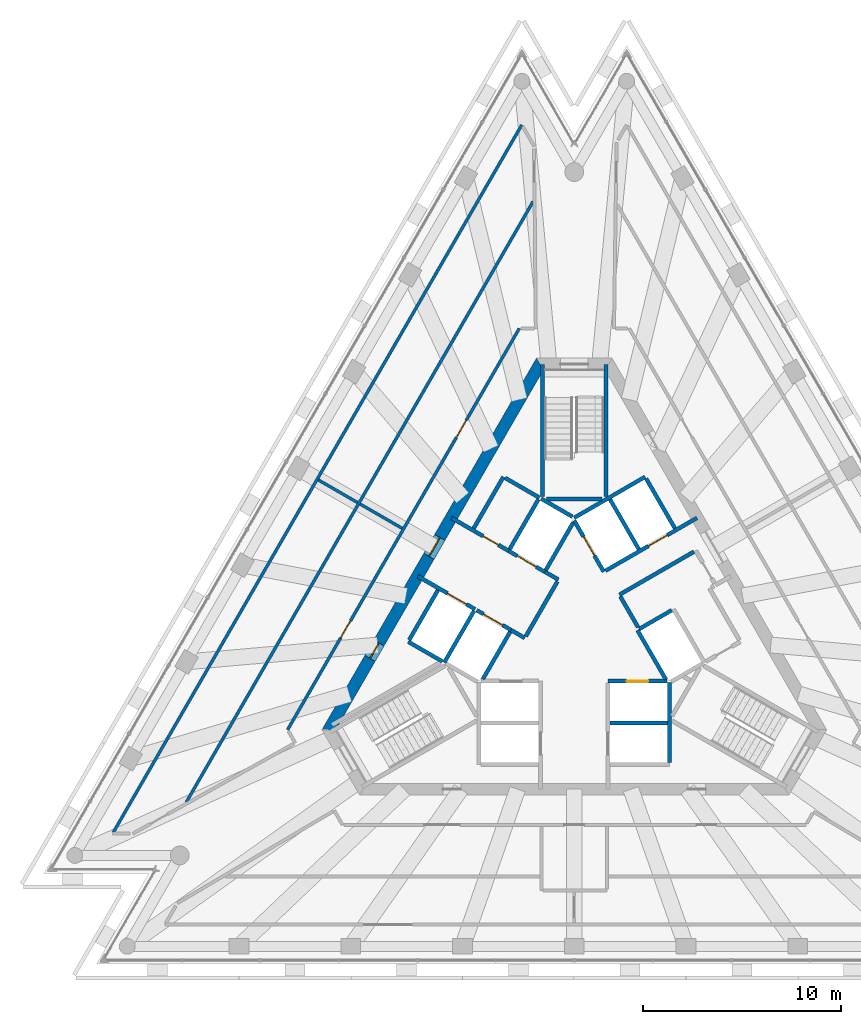
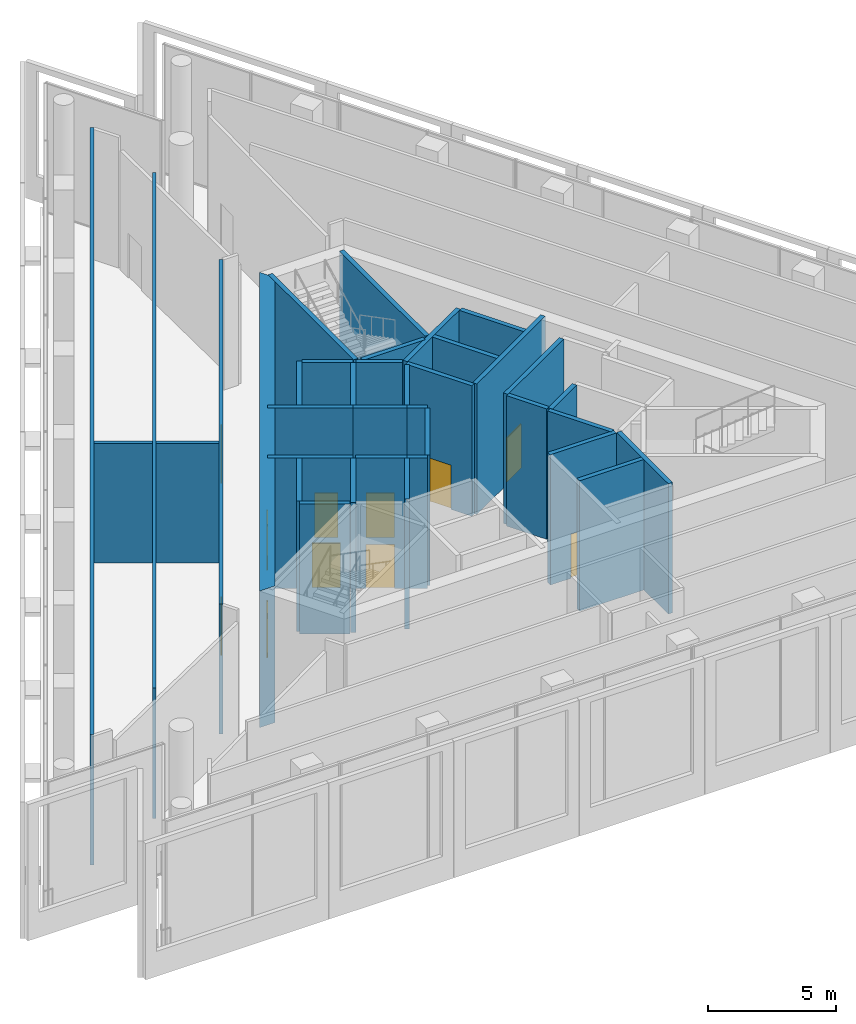
# One storey, part 11 of 16: 37 walls, 11 doors, 11 openings.
"""IFC4 building model written with IfcOpenShell, lengths in metres."""

from ifc_helpers import new_model, si_unit, direction, frame, frame_2d, origin, place, context, subcontext, project, spatial, polyline, rectangle, outline, extrude, material, layer, layer_set, type_object, element, fill, save


model = new_model("IFC4")

# Units and contexts
model_context = context("Model", 3, precision=1e-05, world=origin(), true_north=direction((0.0, 1.0)))
body_context = subcontext(model_context, "Body", "Model", "MODEL_VIEW")
ifc_project = project(units=[si_unit("LENGTHUNIT", "METRE"), si_unit("AREAUNIT", "SQUARE_METRE"), si_unit("VOLUMEUNIT", "CUBIC_METRE"), si_unit("PLANEANGLEUNIT", "RADIAN"), si_unit("MASSUNIT", "GRAM", prefix="KILO")], contexts=[model_context])

# Site, building, storey
site_placement = place(None, origin())
site = spatial("IfcSite", under=ifc_project, at=site_placement, CompositionType="ELEMENT")
building_placement = place(site_placement, origin())
building = spatial("IfcBuilding", under=site, at=building_placement, Name="Triada Interchange Tower", CompositionType="ELEMENT")
storey_placement = place(building_placement, frame((0.0, 0.0, 261.800048828125)))
storey = spatial("IfcBuildingStorey", under=building, at=storey_placement, Name="L61", CompositionType="ELEMENT", Elevation=261.800048828125)

# Walls
ifc_material_1 = material(Name="Concrete C30/37", Category="concrete")
ifc_layer_1 = layer(ifc_material_1, 0.199951171875)
ifc_layer_set_1 = layer_set([ifc_layer_1], Name="CORE WALL 200 EI 120")
wall_type_1 = type_object("IfcWallType", Name="CORE WALL 200 EI 120", PredefinedType="SOLIDWALL", material=ifc_layer_set_1)
wall_1_placement = place(storey_placement, frame((-8.3759765625, -0.70703125, 0.0), z_axis=(0.0, 0.0, 1.0), x_axis=(0.866072678707, -0.499918108492, 0.0)))
element("IfcWall", 1, at=wall_1_placement, inside=storey, type_object=wall_type_1, Name="Wall L61 37", PredefinedType="SOLIDWALL", context=body_context, shape_type="SweptSolid", body=[
    extrude(rectangle(XDim=1.980224609375, YDim=0.199951171875, at=frame_2d((0.990234375, 0.0))), origin(), (0.0, 0.0, 1.0), 6.199951171875),
])
wall_2_placement = place(storey_placement, frame((-8.325927734375, -0.6201171875, 0.0), z_axis=(0.0, 0.0, 1.0), x_axis=(0.500023687443, 0.866011727401, 0.0)))
element("IfcWall", 2, at=wall_2_placement, inside=storey, type_object=wall_type_1, Name="Wall L61 38", PredefinedType="SOLIDWALL", context=body_context, shape_type="SweptSolid", body=[
    extrude(rectangle(XDim=2.899658203125, YDim=0.199951171875, at=frame_2d((1.44970703125, 0.0))), origin(), (0.0, 0.0, 1.0), 6.199951171875),
])
wall_3_placement = place(storey_placement, frame((1.800048828125, -4.800048828125, 0.0), z_axis=(0.0, 0.0, 1.0), x_axis=(1.0, 0.0, 0.0)))
element("IfcWall", 3, at=wall_3_placement, inside=storey, type_object=wall_type_1, Name="Wall L61 43", PredefinedType="SOLIDWALL", context=body_context, shape_type="SweptSolid", body=[
    extrude(rectangle(XDim=2.89990234375, YDim=0.199951171875, at=frame_2d((1.449951171875, 0.0))), origin(), (0.0, 0.0, 1.0), 6.199951171875),
])

# Wall, opening, door
wall_4_placement = place(storey_placement, frame((1.702880859375, -2.699951171875, 0.0), z_axis=(0.0, 0.0, 1.0), x_axis=(1.0, 0.0, 0.0)))
wall_4 = element("IfcWall", 4, at=wall_4_placement, inside=storey, type_object=wall_type_1, Name="Wall L61 46", PredefinedType="SOLIDWALL", context=body_context, shape_type="SweptSolid", body=[
    extrude(rectangle(XDim=2.97314453125, YDim=0.199951171875, at=frame_2d((1.486572265625, 0.0))), origin(), (0.0, 0.0, 1.0), 6.199951171875),
])
opening_1_placement = place(wall_4_placement, frame((0.93603515625, 0.0, 0.0)))
opening_1 = element("IfcOpeningElement", 5, at=opening_1_placement, cuts=wall_4, Name="Opening LD-HR1", PredefinedType="OPENING", context=body_context, shape_type="SweptSolid", body=[
    extrude(rectangle(XDim=1.10009765625, YDim=2.10009765625, at=frame_2d((0.550048828125, 1.050048828125))), frame((0.0, 0.10986328125, 0.0), z_axis=(0.0, -1.0, 0.0), x_axis=(1.0, 0.0, 0.0)), (0.0, 0.0, 1.0), 0.219970703125),
])
ifc_material_2 = material(Name="Steel S235 door leaf", Category="steel")
door_type_1 = type_object("IfcDoorType", Name="LIFT LANDING DOOR 1100 EI 120", OperationType="SLIDING_TO_LEFT", PredefinedType="DOOR", material=ifc_material_2)
door_1_placement = place(opening_1_placement, origin())
door_1 = element("IfcDoor", 6, at=door_1_placement, inside=storey, type_object=door_type_1, Name="HR1 landing door L61", OperationType="SLIDING_TO_LEFT", OverallHeight=2.10009765625, OverallWidth=1.10009765625, PredefinedType="DOOR", context=body_context, shape_type="SweptSolid", body=[
    extrude(rectangle(XDim=1.10009765625, YDim=2.10009765625, at=frame_2d((0.550048828125, 1.050048828125))), frame((0.0, 0.02490234375, 0.0), z_axis=(0.0, -1.0, 0.0), x_axis=(1.0, 0.0, 0.0)), (0.0, 0.0, 1.0), 0.050048828125),
])
fill(opening_1, door_1)

# Wall
wall_5_placement = place(storey_placement, frame((-0.001953125, 5.541015625, 0.0), z_axis=(0.0, 0.0, 1.0), x_axis=(0.86600155993, 0.500041296494, 0.0)))
element("IfcWall", 7, at=wall_5_placement, inside=storey, type_object=wall_type_1, Name="Wall L61 47", PredefinedType="SOLIDWALL", context=body_context, shape_type="SweptSolid", body=[
    extrude(rectangle(XDim=4.131591796875, YDim=0.199951171875, at=frame_2d((2.06591796875, 0.0))), origin(), (0.0, 0.0, 1.0), 6.199951171875),
])

# Wall, opening, door
wall_6_placement = place(storey_placement, frame((0.0, 5.39990234375, 0.0), z_axis=(0.0, 0.0, 1.0), x_axis=(0.500103862429, -0.865965430478, 0.0)))
wall_6 = element("IfcWall", 8, at=wall_6_placement, inside=storey, type_object=wall_type_1, Name="Wall L61 48", PredefinedType="SOLIDWALL", context=body_context, shape_type="SweptSolid", body=[
    extrude(rectangle(XDim=2.973388671875, YDim=0.199951171875, at=frame_2d((1.48681640625, 0.0))), origin(), (0.0, 0.0, 1.0), 6.199951171875),
])
opening_2_placement = place(wall_6_placement, frame((0.93701171875, 0.0, 0.0)))
opening_2 = element("IfcOpeningElement", 9, at=opening_2_placement, cuts=wall_6, Name="Opening LD-HR5", PredefinedType="OPENING", context=body_context, shape_type="SweptSolid", body=[
    extrude(rectangle(XDim=1.10009765625, YDim=2.10009765625, at=frame_2d((0.550048828125, 1.050048828125))), frame((0.0, 0.10986328125, 0.0), z_axis=(0.0, -1.0, 0.0), x_axis=(1.0, 0.0, 0.0)), (0.0, 0.0, 1.0), 0.219970703125),
])
door_2_placement = place(opening_2_placement, origin())
door_2 = element("IfcDoor", 10, at=door_2_placement, inside=storey, type_object=door_type_1, Name="HR5 landing door L61", OperationType="SLIDING_TO_LEFT", OverallHeight=2.10009765625, OverallWidth=1.10009765625, PredefinedType="DOOR", context=body_context, shape_type="SweptSolid", body=[
    extrude(rectangle(XDim=1.10009765625, YDim=2.10009765625, at=frame_2d((0.550048828125, 1.050048828125))), frame((0.0, 0.02490234375, 0.0), z_axis=(0.0, -1.0, 0.0), x_axis=(1.0, 0.0, 0.0)), (0.0, 0.0, 1.0), 0.050048828125),
])
fill(opening_2, door_2)

# Wall
wall_7_placement = place(storey_placement, frame((3.18994140625, -0.125, 0.0), z_axis=(0.0, 0.0, 1.0), x_axis=(0.499988658015, -0.866031951983, 0.0)))
element("IfcWall", 11, at=wall_7_placement, inside=storey, type_object=wall_type_1, Name="Wall L61 49", PredefinedType="SOLIDWALL", context=body_context, shape_type="SweptSolid", body=[
    extrude(rectangle(XDim=2.85791015625, YDim=0.199951171875, at=frame_2d((1.428955078125, 0.0))), origin(), (0.0, 0.0, 1.0), 6.199951171875),
])

# Wall, opening, door
wall_8_placement = place(storey_placement, frame((1.577880859375, 2.8740234375, 0.0), z_axis=(0.0, 0.0, 1.0), x_axis=(0.866045911672, 0.499964477614, 0.0)))
wall_8 = element("IfcWall", 12, at=wall_8_placement, inside=storey, type_object=wall_type_1, Name="Wall L61 50", PredefinedType="SOLIDWALL", context=body_context, shape_type="SweptSolid", body=[
    extrude(rectangle(XDim=5.32666015625, YDim=0.199951171875, at=frame_2d((2.663330078125, 0.0))), origin(), (0.0, 0.0, 1.0), 6.199951171875),
])
opening_3_placement = place(wall_8_placement, frame((2.49609375, 0.0, 0.0)))
opening_3 = element("IfcOpeningElement", 13, at=opening_3_placement, cuts=wall_8, Name="Opening LD-HR6", PredefinedType="OPENING", context=body_context, shape_type="SweptSolid", body=[
    extrude(rectangle(XDim=1.10009765625, YDim=2.10009765625, at=frame_2d((0.550048828125, 1.050048828125))), frame((0.0, 0.10986328125, 0.0), z_axis=(0.0, -1.0, 0.0), x_axis=(1.0, 0.0, 0.0)), (0.0, 0.0, 1.0), 0.219970703125),
])
door_3_placement = place(opening_3_placement, origin())
door_3 = element("IfcDoor", 14, at=door_3_placement, inside=storey, type_object=door_type_1, Name="HR6 landing door L61", OperationType="SLIDING_TO_LEFT", OverallHeight=2.10009765625, OverallWidth=1.10009765625, PredefinedType="DOOR", context=body_context, shape_type="SweptSolid", body=[
    extrude(rectangle(XDim=1.10009765625, YDim=2.10009765625, at=frame_2d((0.550048828125, 1.050048828125))), frame((0.0, 0.02490234375, 0.0), z_axis=(0.0, -1.0, 0.0), x_axis=(1.0, 0.0, 0.0)), (0.0, 0.0, 1.0), 0.050048828125),
])
fill(opening_3, door_3)

# Walls
wall_9_placement = place(storey_placement, frame((4.800048828125, -6.800048828125, 0.0), z_axis=(0.0, 0.0, 1.0), x_axis=(0.0, 1.0, 0.0)))
element("IfcWall", 15, at=wall_9_placement, inside=storey, type_object=wall_type_1, Name="Wall L61 52", PredefinedType="SOLIDWALL", context=body_context, shape_type="SweptSolid", body=[
    extrude(rectangle(XDim=4.029052734375, YDim=0.199951171875, at=frame_2d((2.0146484375, 0.0))), origin(), (0.0, 0.0, 1.0), 6.199951171875),
])
for number, where, z_axis, x_axis, name in (
    (16, (3.6259765625, 7.52001953125, 0.0), (0.0, 0.0, 1.0), (0.500060147554, -0.865990674793, 0.0), "Wall L61 53"),
    (17, (1.806884765625, 6.469970703125, 0.0), (0.0, 0.0, 1.0), (0.50012328804, -0.865954211699, 0.0), "Wall L61 54"),
):
    element("IfcWall", number, at=place(storey_placement, frame(where, z_axis=z_axis, x_axis=x_axis)), inside=storey, type_object=wall_type_1, Name=name, PredefinedType="SOLIDWALL", context=body_context, shape_type="SweptSolid", body=[
        extrude(rectangle(XDim=2.899658203125, YDim=0.199951171875, at=frame_2d((1.44970703125, 0.0))), origin(), (0.0, 0.0, 1.0), 6.199951171875),
    ])
wall_10_placement = place(storey_placement, frame((3.278076171875, -0.071044921875, 0.0), z_axis=(0.0, 0.0, 1.0), x_axis=(0.865784509405, 0.500417009377, 0.0)))
element("IfcWall", 18, at=wall_10_placement, inside=storey, type_object=wall_type_1, Name="Wall L61 56", PredefinedType="SOLIDWALL", context=body_context, shape_type="SweptSolid", body=[
    extrude(rectangle(XDim=1.896484375, YDim=0.199951171875, at=frame_2d((0.9482421875, 0.0))), origin(), (0.0, 0.0, 1.0), 6.199951171875),
])
wall_11_placement = place(storey_placement, frame((2.27490234375, 1.659912109375, 0.0), z_axis=(0.0, 0.0, 1.0), x_axis=(0.866013608182, 0.500020430026, 0.0)))
element("IfcWall", 19, at=wall_11_placement, inside=storey, type_object=wall_type_1, Name="Wall L61 59", PredefinedType="SOLIDWALL", context=body_context, shape_type="SweptSolid", body=[
    extrude(rectangle(XDim=4.349853515625, YDim=0.199951171875, at=frame_2d((2.1748046875, 0.0))), origin(), (0.0, 0.0, 1.0), 6.199951171875),
])
wall_12_placement = place(storey_placement, frame((2.324951171875, 1.572998046875, 0.0), z_axis=(0.0, 0.0, 1.0), x_axis=(0.500004188491, -0.866022985545, 0.0)))
element("IfcWall", 20, at=wall_12_placement, inside=storey, type_object=wall_type_1, Name="Wall L61 60", PredefinedType="SOLIDWALL", context=body_context, shape_type="SweptSolid", body=[
    extrude(rectangle(XDim=1.80029296875, YDim=0.199951171875, at=frame_2d((0.900146484375, 0.0))), origin(), (0.0, 0.0, 1.0), 6.199951171875),
])

# Wall, opening, door
ifc_layer_2 = layer(ifc_material_1, 0.199951171875)
ifc_layer_set_2 = layer_set([ifc_layer_2], Name="CORE WALL 200 EI 180")
wall_type_2 = type_object("IfcWallType", Name="CORE WALL 200 EI 180", PredefinedType="SOLIDWALL", material=ifc_layer_set_2)
wall_13_placement = place(storey_placement, frame((-7.89111328125, 2.593017578125, 0.0), z_axis=(0.0, 0.0, 1.0), x_axis=(0.866070917804, -0.499921159118, 0.0)))
wall_13 = element("IfcWall", 21, at=wall_13_placement, inside=storey, type_object=wall_type_2, Name="Wall L61 62", PredefinedType="SOLIDWALL", context=body_context, shape_type="SweptSolid", body=[
    extrude(rectangle(XDim=3.33251953125, YDim=0.199951171875, at=frame_2d((1.666259765625, 0.0))), origin(), (0.0, 0.0, 1.0), 6.199951171875),
])
opening_4_placement = place(wall_13_placement, frame((1.72998046875, 0.0, 0.0)))
opening_4 = element("IfcOpeningElement", 22, at=opening_4_placement, cuts=wall_13, Name="Opening LD-SV1", PredefinedType="OPENING", context=body_context, shape_type="SweptSolid", body=[
    extrude(rectangle(XDim=1.10009765625, YDim=2.10009765625, at=frame_2d((0.550048828125, 1.050048828125))), frame((0.0, 0.10986328125, 0.0), z_axis=(0.0, -1.0, 0.0), x_axis=(1.0, 0.0, 0.0)), (0.0, 0.0, 1.0), 0.219970703125),
])
door_4_placement = place(opening_4_placement, origin())
door_4 = element("IfcDoor", 23, at=door_4_placement, inside=storey, type_object=door_type_1, Name="SV1 landing door L61", OperationType="SLIDING_TO_LEFT", OverallHeight=2.10009765625, OverallWidth=1.10009765625, PredefinedType="DOOR", context=body_context, shape_type="SweptSolid", body=[
    extrude(rectangle(XDim=1.10009765625, YDim=2.10009765625, at=frame_2d((0.550048828125, 1.050048828125))), frame((0.0, 0.02490234375, 0.0), z_axis=(0.0, -1.0, 0.0), x_axis=(1.0, 0.0, 0.0)), (0.0, 0.0, 1.0), 0.050048828125),
])
fill(opening_4, door_4)

# Wall
wall_14_placement = place(storey_placement, frame((-3.18798828125, -0.1220703125, 0.0), z_axis=(0.0, 0.0, 1.0), x_axis=(0.865705793592, -0.50055317294, 0.0)))
element("IfcWall", 24, at=wall_14_placement, inside=storey, type_object=wall_type_2, Name="Wall L61 63", PredefinedType="SOLIDWALL", context=body_context, shape_type="SweptSolid", body=[
    extrude(rectangle(XDim=0.796875, YDim=0.199951171875, at=frame_2d((0.3984375, 0.0))), origin(), (0.0, 0.0, 1.0), 6.199951171875),
])

# Wall, opening, door
wall_15_placement = place(storey_placement, frame((-6.19091796875, 5.537109375, 0.0), z_axis=(0.0, 0.0, 1.0), x_axis=(0.866052607023, -0.499952879648, 0.0)))
wall_15 = element("IfcWall", 25, at=wall_15_placement, inside=storey, type_object=wall_type_2, Name="Wall L61 64", PredefinedType="SOLIDWALL", context=body_context, shape_type="SweptSolid", body=[
    extrude(rectangle(XDim=3.332275390625, YDim=0.199951171875, at=frame_2d((1.666015625, 0.0))), origin(), (0.0, 0.0, 1.0), 6.199951171875),
])
opening_5_placement = place(wall_15_placement, frame((1.830078125, 0.0, 0.0)))
opening_5 = element("IfcOpeningElement", 26, at=opening_5_placement, cuts=wall_15, Name="Opening D61-10", PredefinedType="OPENING", context=body_context, shape_type="SweptSolid", body=[
    extrude(rectangle(XDim=0.89990234375, YDim=2.10009765625, at=frame_2d((0.449951171875, 1.050048828125))), frame((0.0, 0.10986328125, 0.0), z_axis=(0.0, -1.0, 0.0), x_axis=(1.0, 0.0, 0.0)), (0.0, 0.0, 1.0), 0.219970703125),
])
door_type_2 = type_object("IfcDoorType", Name="SERVICE DOOR 900 EI2 90-C5S200", OperationType="NOTDEFINED", PredefinedType="DOOR", material=ifc_material_2)
door_5_placement = place(opening_5_placement, origin())
door_5 = element("IfcDoor", 27, at=door_5_placement, inside=storey, type_object=door_type_2, Name="Door D61-10 L61", OperationType="SINGLE_SWING_LEFT", OverallHeight=2.10009765625, OverallWidth=0.89990234375, PredefinedType="DOOR", context=body_context, shape_type="SweptSolid", body=[
    extrude(rectangle(XDim=0.89990234375, YDim=2.10009765625, at=frame_2d((0.449951171875, 1.050048828125))), frame((0.0, 0.02490234375, 0.0), z_axis=(0.0, -1.0, 0.0), x_axis=(1.0, 0.0, 0.0)), (0.0, 0.0, 1.0), 0.050048828125),
])
fill(opening_5, door_5)

# Walls
wall_16_placement = place(storey_placement, frame((-1.488037109375, 2.822021484375, 0.0), z_axis=(0.0, 0.0, 1.0), x_axis=(0.866236612152, -0.499633997809, 0.0)))
element("IfcWall", 28, at=wall_16_placement, inside=storey, type_object=wall_type_2, Name="Wall L61 65", PredefinedType="SOLIDWALL", context=body_context, shape_type="SweptSolid", body=[
    extrude(rectangle(XDim=0.79638671875, YDim=0.199951171875, at=frame_2d((0.398193359375, 0.0))), origin(), (0.0, 0.0, 1.0), 6.199951171875),
])
wall_17_placement = place(storey_placement, frame((-5.075927734375, 5.009033203125, 0.0), z_axis=(0.0, 0.0, 1.0), x_axis=(0.50002537861, 0.866010750942, 0.0)))
element("IfcWall", 29, at=wall_17_placement, inside=storey, type_object=wall_type_2, Name="Wall L61 66", PredefinedType="SOLIDWALL", context=body_context, shape_type="SweptSolid", body=[
    extrude(rectangle(XDim=2.999755859375, YDim=0.199951171875, at=frame_2d((1.5, 0.0))), origin(), (0.0, 0.0, 1.0), 6.199951171875),
])
wall_18_placement = place(storey_placement, frame((-3.489013671875, 7.556884765625, 0.0), z_axis=(0.0, 0.0, 1.0), x_axis=(0.866010750942, -0.50002537861, 0.0)))
element("IfcWall", 30, at=wall_18_placement, inside=storey, type_object=wall_type_2, Name="Wall L61 67", PredefinedType="SOLIDWALL", context=body_context, shape_type="SweptSolid", body=[
    extrude(rectangle(XDim=2.0, YDim=0.199951171875, at=frame_2d((1.0, 0.0))), origin(), (0.0, 0.0, 1.0), 6.199951171875),
])
wall_19_placement = place(storey_placement, frame((-2.444091796875, -0.43310546875, 0.0), z_axis=(0.0, 0.0, 1.0), x_axis=(0.500035624827, 0.866004834804, 0.0)))
element("IfcWall", 31, at=wall_19_placement, inside=storey, type_object=wall_type_2, Name="Wall L61 68", PredefinedType="SOLIDWALL", context=body_context, shape_type="SweptSolid", body=[
    extrude(rectangle(XDim=3.194091796875, YDim=0.199951171875, at=frame_2d((1.59716796875, 0.0))), origin(), (0.0, 0.0, 1.0), 6.199951171875),
])
wall_20_placement = place(storey_placement, frame((-6.556884765625, -1.757080078125, 0.0), z_axis=(0.0, 0.0, 1.0), x_axis=(0.499990139034, 0.866031096941, 0.0)))
element("IfcWall", 32, at=wall_20_placement, inside=storey, type_object=wall_type_2, Name="Shaft wall FF1 L61 69", PredefinedType="SOLIDWALL", context=body_context, shape_type="SweptSolid", body=[
    extrude(rectangle(XDim=3.0, YDim=0.199951171875, at=frame_2d((1.5, 0.0))), origin(), (0.0, 0.0, 1.0), 6.199951171875),
])

# Wall, opening, door
wall_21_placement = place(storey_placement, frame((-4.922119140625, 0.87890625, 0.0), z_axis=(0.0, 0.0, 1.0), x_axis=(0.866073918653, -0.499915960366, 0.0)))
wall_21 = element("IfcWall", 33, at=wall_21_placement, inside=storey, type_object=wall_type_2, Name="Shaft wall FF1 L61 71", PredefinedType="SOLIDWALL", context=body_context, shape_type="SweptSolid", body=[
    extrude(rectangle(XDim=2.002197265625, YDim=0.199951171875, at=frame_2d((1.0009765625, 0.0))), origin(), (0.0, 0.0, 1.0), 6.199951171875),
])
opening_6_placement = place(wall_21_placement, frame((0.402099609375, 0.0, 0.0)))
opening_6 = element("IfcOpeningElement", 34, at=opening_6_placement, cuts=wall_21, Name="Opening LD-FF1", PredefinedType="OPENING", context=body_context, shape_type="SweptSolid", body=[
    extrude(rectangle(XDim=1.10009765625, YDim=2.10009765625, at=frame_2d((0.550048828125, 1.050048828125))), frame((0.0, 0.10986328125, 0.0), z_axis=(0.0, -1.0, 0.0), x_axis=(1.0, 0.0, 0.0)), (0.0, 0.0, 1.0), 0.219970703125),
])
door_6_placement = place(opening_6_placement, origin())
door_6 = element("IfcDoor", 35, at=door_6_placement, inside=storey, type_object=door_type_1, Name="FF1 landing door L61", OperationType="SLIDING_TO_LEFT", OverallHeight=2.10009765625, OverallWidth=1.10009765625, PredefinedType="DOOR", context=body_context, shape_type="SweptSolid", body=[
    extrude(rectangle(XDim=1.10009765625, YDim=2.10009765625, at=frame_2d((0.550048828125, 1.050048828125))), frame((0.0, 0.02490234375, 0.0), z_axis=(0.0, -1.0, 0.0), x_axis=(1.0, 0.0, 0.0)), (0.0, 0.0, 1.0), 0.050048828125),
])
fill(opening_6, door_6)

# Wall
wall_22_placement = place(storey_placement, frame((-4.618896484375, -2.60009765625, 0.0), z_axis=(0.0, 0.0, 1.0), x_axis=(0.50009492287, 0.865970593103, 0.0)))
element("IfcWall", 36, at=wall_22_placement, inside=storey, type_object=wall_type_2, Name="Shaft wall FF1 L61 72", PredefinedType="SOLIDWALL", context=body_context, shape_type="SweptSolid", body=[
    extrude(rectangle(XDim=2.76123046875, YDim=0.199951171875, at=frame_2d((1.380615234375, 0.0))), origin(), (0.0, 0.0, 1.0), 6.199951171875),
])

# Wall, opening, door
wall_23_placement = place(storey_placement, frame((-3.30908203125, 3.873046875, 0.0), z_axis=(0.0, 0.0, 1.0), x_axis=(0.866098583652, -0.499873227325, 0.0)))
wall_23 = element("IfcWall", 37, at=wall_23_placement, inside=storey, type_object=wall_type_2, Name="Shaft wall FF2 L61 73", PredefinedType="SOLIDWALL", context=body_context, shape_type="SweptSolid", body=[
    extrude(rectangle(XDim=2.1025390625, YDim=0.199951171875, at=frame_2d((1.05126953125, 0.0))), origin(), (0.0, 0.0, 1.0), 6.199951171875),
])
opening_7_placement = place(wall_23_placement, frame((0.501953125, 0.0, 0.0)))
opening_7 = element("IfcOpeningElement", 38, at=opening_7_placement, cuts=wall_23, Name="Opening LD-FF2", PredefinedType="OPENING", context=body_context, shape_type="SweptSolid", body=[
    extrude(rectangle(XDim=1.10009765625, YDim=2.10009765625, at=frame_2d((0.550048828125, 1.050048828125))), frame((0.0, 0.10986328125, 0.0), z_axis=(0.0, -1.0, 0.0), x_axis=(1.0, 0.0, 0.0)), (0.0, 0.0, 1.0), 0.219970703125),
])
door_7_placement = place(opening_7_placement, origin())
door_7 = element("IfcDoor", 39, at=door_7_placement, inside=storey, type_object=door_type_1, Name="FF2 landing door L61", OperationType="SLIDING_TO_LEFT", OverallHeight=2.10009765625, OverallWidth=1.10009765625, PredefinedType="DOOR", context=body_context, shape_type="SweptSolid", body=[
    extrude(rectangle(XDim=1.10009765625, YDim=2.10009765625, at=frame_2d((0.550048828125, 1.050048828125))), frame((0.0, 0.02490234375, 0.0), z_axis=(0.0, -1.0, 0.0), x_axis=(1.0, 0.0, 0.0)), (0.0, 0.0, 1.0), 0.050048828125),
])
fill(opening_7, door_7)

# Walls
wall_24_placement = place(storey_placement, frame((-3.257080078125, 3.958984375, 0.0), z_axis=(0.0, 0.0, 1.0), x_axis=(0.50012328804, 0.865954211699, 0.0)))
element("IfcWall", 40, at=wall_24_placement, inside=storey, type_object=wall_type_2, Name="Shaft wall FF2 L61 74", PredefinedType="SOLIDWALL", context=body_context, shape_type="SweptSolid", body=[
    extrude(rectangle(XDim=2.899658203125, YDim=0.199951171875, at=frame_2d((1.44970703125, 0.0))), origin(), (0.0, 0.0, 1.0), 6.199951171875),
])
wall_25_placement = place(storey_placement, frame((-1.669921875, 6.507080078125, 0.0), z_axis=(0.0, 0.0, 1.0), x_axis=(0.865941441609, -0.500145398563, 0.0)))
element("IfcWall", 41, at=wall_25_placement, inside=storey, type_object=wall_type_2, Name="Shaft wall FF2 L61 75", PredefinedType="SOLIDWALL", context=body_context, shape_type="SweptSolid", body=[
    extrude(rectangle(XDim=1.8154296875, YDim=0.199951171875, at=frame_2d((0.90771484375, 0.0))), origin(), (0.0, 0.0, 1.0), 6.199951171875),
])
wall_26_placement = place(storey_placement, frame((-1.43798828125, 2.908935546875, 0.0), z_axis=(0.0, 0.0, 1.0), x_axis=(0.499829630636, 0.866123744241, 0.0)))
element("IfcWall", 42, at=wall_26_placement, inside=storey, type_object=wall_type_2, Name="Shaft wall FF2 L61 76", PredefinedType="SOLIDWALL", context=body_context, shape_type="SweptSolid", body=[
    extrude(rectangle(XDim=2.7607421875, YDim=0.199951171875, at=frame_2d((1.38037109375, 0.0))), origin(), (0.0, 0.0, 1.0), 6.199951171875),
])
ifc_layer_3 = layer(ifc_material_1, 0.199951171875)
ifc_layer_set_3 = layer_set([ifc_layer_3], Name="CORE WALL 200 REI 240")
wall_type_3 = type_object("IfcWallType", Name="CORE WALL 200 REI 240", PredefinedType="SOLIDWALL", material=ifc_layer_set_3)
wall_27_placement = place(storey_placement, frame((1.60009765625, 6.614990234375, 0.0), z_axis=(0.0, 0.0, 1.0), x_axis=(0.0, 1.0, 0.0)))
element("IfcWall", 43, at=wall_27_placement, inside=storey, type_object=wall_type_3, Name="Wall L61 85", PredefinedType="SOLIDWALL", context=body_context, shape_type="SweptSolid", body=[
    extrude(rectangle(XDim=6.6650390625, YDim=0.199951171875, at=frame_2d((3.33251953125, 0.0))), origin(), (0.0, 0.0, 1.0), 6.199951171875),
])
wall_28_placement = place(storey_placement, frame((-1.39990234375, 6.5, 0.0), z_axis=(0.0, 0.0, 1.0), x_axis=(1.0, 0.0, 0.0)))
element("IfcWall", 44, at=wall_28_placement, inside=storey, type_object=wall_type_3, Name="Wall L61 86", PredefinedType="SOLIDWALL", context=body_context, shape_type="SweptSolid", body=[
    extrude(rectangle(XDim=2.7998046875, YDim=0.199951171875, at=frame_2d((1.39990234375, 0.0))), origin(), (0.0, 0.0, 1.0), 6.199951171875),
])
wall_29_placement = place(storey_placement, frame((-1.60009765625, 6.614990234375, 0.0), z_axis=(0.0, 0.0, 1.0), x_axis=(0.0, 1.0, 0.0)))
element("IfcWall", 45, at=wall_29_placement, inside=storey, type_object=wall_type_3, Name="Wall L61 87", PredefinedType="SOLIDWALL", context=body_context, shape_type="SweptSolid", body=[
    extrude(rectangle(XDim=6.6650390625, YDim=0.199951171875, at=frame_2d((3.33251953125, 0.0))), origin(), (0.0, 0.0, 1.0), 6.199951171875),
])

# Wall, openings, doors
ifc_material_3 = material(Name="Concrete C40/50", Category="concrete")
ifc_layer_4 = layer(ifc_material_3, 0.60009765625)
ifc_layer_set_4 = layer_set([ifc_layer_4], Name="Core wall D 600")
wall_type_4 = type_object("IfcWallType", Name="Core wall D 600", PredefinedType="SHEAR", material=ifc_layer_set_4)
wall_30_placement = place(storey_placement, frame((-1.73193359375, 13.300048828125, -0.300048828125), z_axis=(0.0, 0.0, 1.0), x_axis=(-0.500000539815, -0.866025092122, 0.0)))
wall_30 = element("IfcWall", 46, at=wall_30_placement, inside=storey, type_object=wall_type_4, Name="Core wall WD02 L61", PredefinedType="SHEAR", context=body_context, shape_type="SweptSolid", body=[
    extrude(outline(polyline([(-0.173095703125, -0.300048828125), (1.795166015625, -0.300048828125), (3.763427734375, -0.30029296875), (5.731689453125, -0.30029296875), (7.699951171875, -0.30029296875), (9.668212890625, -0.300537109375), (11.63671875, -0.300537109375), (13.60498046875, -0.30078125), (15.5732421875, -0.30078125), (17.54150390625, -0.30078125), (19.509765625, -0.301025390625), (21.47802734375, -0.301025390625), (21.131103515625, 0.300048828125), (19.225830078125, 0.300048828125), (17.320556640625, 0.300048828125), (15.415283203125, 0.300048828125), (13.510009765625, 0.300048828125), (11.604736328125, 0.300048828125), (9.699462890625, 0.300048828125), (7.794189453125, 0.300048828125), (5.888916015625, 0.300048828125), (3.983642578125, 0.300048828125), (2.078369140625, 0.300048828125), (0.173095703125, 0.300048828125), (-0.173095703125, -0.300048828125)])), origin(), (0.0, 0.0, 1.0), 6.5),
])
opening_8_placement = place(wall_30_placement, frame((10.10205078125, 0.0, 0.300048828125)))
opening_8 = element("IfcOpeningElement", 47, at=opening_8_placement, cuts=wall_30, Name="Opening D61-28", PredefinedType="OPENING", context=body_context, shape_type="SweptSolid", body=[
    extrude(rectangle(XDim=1.10009765625, YDim=2.10009765625, at=frame_2d((0.550048828125, 1.050048828125))), frame((0.0, 0.31005859375, 0.0), z_axis=(0.0, -1.0, 0.0), x_axis=(1.0, 0.0, 0.0)), (0.0, 0.0, 1.0), 0.62109375),
])
opening_9_placement = place(wall_30_placement, frame((16.248046875, 0.0, 0.300048828125)))
opening_9 = element("IfcOpeningElement", 48, at=opening_9_placement, cuts=wall_30, Name="Opening D61-29", PredefinedType="OPENING", context=body_context, shape_type="SweptSolid", body=[
    extrude(rectangle(XDim=0.89990234375, YDim=2.10009765625, at=frame_2d((0.449951171875, 1.050048828125))), frame((0.0, 0.31005859375, 0.0), z_axis=(0.0, -1.0, 0.0), x_axis=(1.0, 0.0, 0.0)), (0.0, 0.0, 1.0), 0.62109375),
])
door_type_3 = type_object("IfcDoorType", Name="FIRE LOBBY DOOR 1100 EI2 90-C5S200", OperationType="NOTDEFINED", PredefinedType="DOOR", material=ifc_material_2)
door_8_placement = place(opening_8_placement, origin())
door_8 = element("IfcDoor", 49, at=door_8_placement, inside=storey, type_object=door_type_3, Name="Door D61-28 L61", OperationType="SINGLE_SWING_RIGHT", OverallHeight=2.10009765625, OverallWidth=1.10009765625, PredefinedType="DOOR", context=body_context, shape_type="SweptSolid", body=[
    extrude(rectangle(XDim=1.10009765625, YDim=2.10009765625, at=frame_2d((0.550048828125, 1.050048828125))), frame((0.0, 0.02490234375, 0.0), z_axis=(0.0, -1.0, 0.0), x_axis=(1.0, 0.0, 0.0)), (0.0, 0.0, 1.0), 0.050048828125),
])
fill(opening_8, door_8)
door_type_4 = type_object("IfcDoorType", Name="SERVICE DOOR 900 EI2 45-C5S200", OperationType="NOTDEFINED", PredefinedType="DOOR", material=ifc_material_2)
door_9_placement = place(opening_9_placement, origin())
door_9 = element("IfcDoor", 50, at=door_9_placement, inside=storey, type_object=door_type_4, Name="Door D61-29 L61", OperationType="SINGLE_SWING_RIGHT", OverallHeight=2.10009765625, OverallWidth=0.89990234375, PredefinedType="DOOR", context=body_context, shape_type="SweptSolid", body=[
    extrude(rectangle(XDim=0.89990234375, YDim=2.10009765625, at=frame_2d((0.449951171875, 1.050048828125))), frame((0.0, 0.02490234375, 0.0), z_axis=(0.0, -1.0, 0.0), x_axis=(1.0, 0.0, 0.0)), (0.0, 0.0, 1.0), 0.050048828125),
])
fill(opening_9, door_9)

# Walls
ifc_material_4 = material(Name="Gypsum board partition")
ifc_layer_5 = layer(ifc_material_4, 0.14990234375)
ifc_layer_set_5 = layer_set([ifc_layer_5], Name="PARTITION 150")
wall_type_5 = type_object("IfcWallType", Name="PARTITION 150", PredefinedType="PARTITIONING", material=ifc_layer_set_5)
wall_31_placement = place(storey_placement, frame((-12.905029296875, 7.449951171875, 0.0), z_axis=(0.0, 0.0, 1.0), x_axis=(0.866023021914, -0.500004125498, 0.0)))
element("IfcWall", 51, at=wall_31_placement, inside=storey, type_object=wall_type_5, Name="Wall L61 28", PredefinedType="PARTITIONING", context=body_context, shape_type="SweptSolid", body=[
    extrude(rectangle(XDim=2.27587890625, YDim=0.14990234375, at=frame_2d((1.137939453125, 0.0))), origin(), (0.0, 0.0, 1.0), 5.699951171875),
])
wall_32_placement = place(storey_placement, frame((-10.803955078125, 6.237060546875, 0.0), z_axis=(0.0, 0.0, 1.0), x_axis=(0.8660395779, -0.499975448907, 0.0)))
element("IfcWall", 52, at=wall_32_placement, inside=storey, type_object=wall_type_5, Name="Wall L61 29", PredefinedType="PARTITIONING", context=body_context, shape_type="SweptSolid", body=[
    extrude(rectangle(XDim=2.4501953125, YDim=0.14990234375, at=frame_2d((1.22509765625, 0.0))), origin(), (0.0, 0.0, 1.0), 5.699951171875),
])

# Wall, openings, doors
ifc_layer_6 = layer(ifc_material_4, 0.14990234375)
ifc_layer_set_6 = layer_set([ifc_layer_6], Name="PARTITION 150 EI 90")
wall_type_6 = type_object("IfcWallType", Name="PARTITION 150 EI 90", PredefinedType="PARTITIONING", material=ifc_layer_set_6)
wall_33_placement = place(storey_placement, frame((-14.462890625, -5.14990234375, 0.0), z_axis=(0.0, 0.0, 1.0), x_axis=(0.500017691629, 0.866015189277, 0.0)))
wall_33 = element("IfcWall", 53, at=wall_33_placement, inside=storey, type_object=wall_type_6, Name="Wall L61 12", PredefinedType="PARTITIONING", context=body_context, shape_type="SweptSolid", body=[
    extrude(rectangle(XDim=23.383056640625, YDim=0.14990234375, at=frame_2d((11.69140625, 0.0))), origin(), (0.0, 0.0, 1.0), 6.199951171875),
])
opening_10_placement = place(wall_33_placement, frame((17.037109375, 0.0, 0.0)))
opening_10 = element("IfcOpeningElement", 54, at=opening_10_placement, cuts=wall_33, Name="Opening D61-20", PredefinedType="OPENING", context=body_context, shape_type="SweptSolid", body=[
    extrude(rectangle(XDim=1.0, YDim=2.10009765625, at=frame_2d((0.5, 1.050048828125))), frame((0.0, 0.0849609375, 0.0), z_axis=(0.0, -1.0, 0.0), x_axis=(1.0, 0.0, 0.0)), (0.0, 0.0, 1.0), 0.169921875),
])
opening_11_placement = place(wall_33_placement, frame((5.345947265625, 0.0, 0.0)))
opening_11 = element("IfcOpeningElement", 55, at=opening_11_placement, cuts=wall_33, Name="Opening D61-21", PredefinedType="OPENING", context=body_context, shape_type="SweptSolid", body=[
    extrude(rectangle(XDim=1.0, YDim=2.10009765625, at=frame_2d((0.5, 1.050048828125))), frame((0.0, 0.0849609375, 0.0), z_axis=(0.0, -1.0, 0.0), x_axis=(1.0, 0.0, 0.0)), (0.0, 0.0, 1.0), 0.169921875),
])
door_type_5 = type_object("IfcDoorType", Name="ROOM DOOR 1000 EI2 45-C5S200", OperationType="NOTDEFINED", PredefinedType="DOOR", material=ifc_material_2)
door_10_placement = place(opening_10_placement, origin())
door_10 = element("IfcDoor", 56, at=door_10_placement, inside=storey, type_object=door_type_5, Name="Door D61-20 L61", OperationType="SINGLE_SWING_RIGHT", OverallHeight=2.10009765625, OverallWidth=1.0, PredefinedType="DOOR", context=body_context, shape_type="SweptSolid", body=[
    extrude(rectangle(XDim=1.0, YDim=2.10009765625, at=frame_2d((0.5, 1.050048828125))), frame((0.0, 0.02490234375, 0.0), z_axis=(0.0, -1.0, 0.0), x_axis=(1.0, 0.0, 0.0)), (0.0, 0.0, 1.0), 0.050048828125),
])
fill(opening_10, door_10)
door_11_placement = place(opening_11_placement, origin())
door_11 = element("IfcDoor", 57, at=door_11_placement, inside=storey, type_object=door_type_5, Name="Door D61-21 L61", OperationType="SINGLE_SWING_LEFT", OverallHeight=2.10009765625, OverallWidth=1.0, PredefinedType="DOOR", context=body_context, shape_type="SweptSolid", body=[
    extrude(rectangle(XDim=1.0, YDim=2.10009765625, at=frame_2d((0.5, 1.050048828125))), frame((0.0, 0.02490234375, 0.0), z_axis=(0.0, -1.0, 0.0), x_axis=(1.0, 0.0, 0.0)), (0.0, 0.0, 1.0), 0.050048828125),
])
fill(opening_11, door_11)

# Walls
wall_34_placement = place(storey_placement, frame((-19.571044921875, -8.798095703125, 0.0), z_axis=(0.0, 0.0, 1.0), x_axis=(0.500014166641, 0.866017224516, 0.0)))
element("IfcWall", 58, at=wall_34_placement, inside=storey, type_object=wall_type_6, Name="Wall L61 16", PredefinedType="PARTITIONING", context=body_context, shape_type="SweptSolid", body=[
    extrude(rectangle(XDim=34.9912109375, YDim=0.14990234375, at=frame_2d((17.49560546875, 0.0))), origin(), (0.0, 0.0, 1.0), 6.199951171875),
])
wall_35_placement = place(storey_placement, frame((-23.25, -10.31689453125, 0.0), z_axis=(0.0, 0.0, 1.0), x_axis=(0.500024875003, 0.866011041719, 0.0)))
element("IfcWall", 59, at=wall_35_placement, inside=storey, type_object=wall_type_6, Name="Wall L61 18", PredefinedType="PARTITIONING", context=body_context, shape_type="SweptSolid", body=[
    extrude(rectangle(XDim=41.2060546875, YDim=0.14990234375, at=frame_2d((20.60302734375, 0.0))), origin(), (0.0, 0.0, 1.0), 6.199951171875),
])

save(model, "model.ifc")
